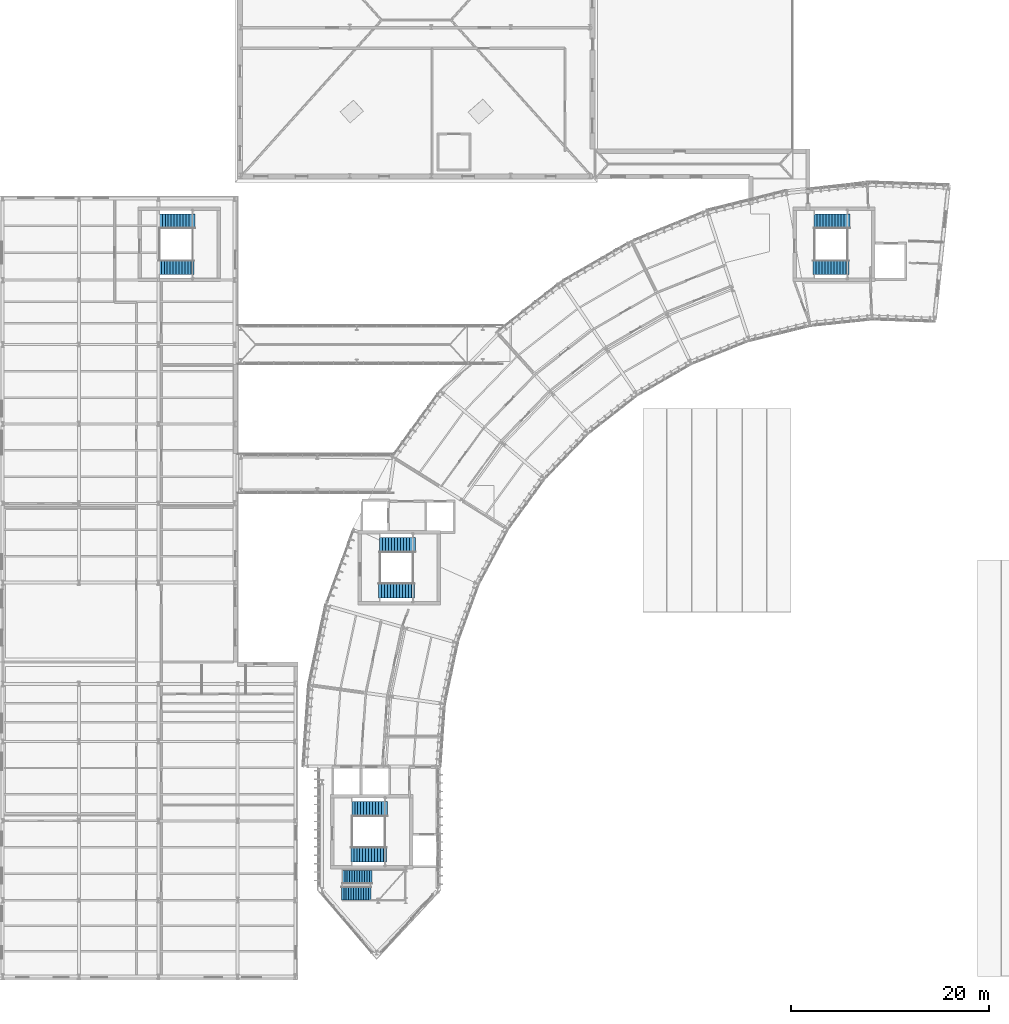
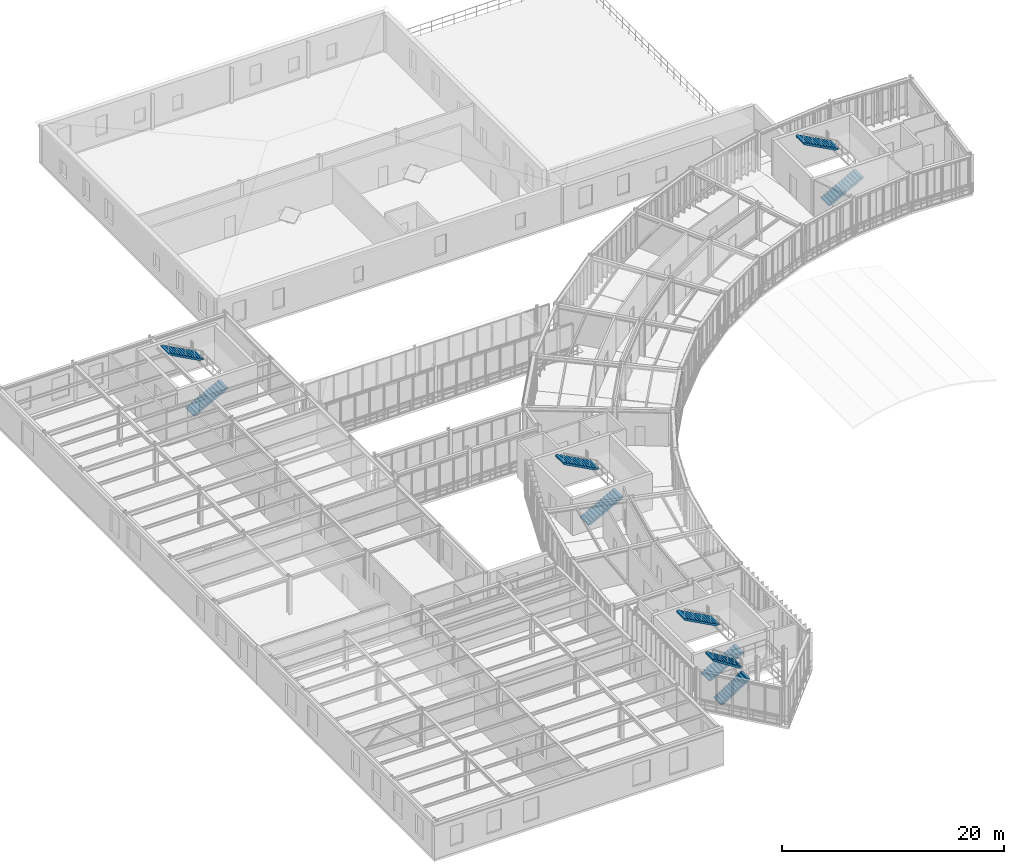
# One storey, part 46 of 57: 10 stair flights, 5 elements without a shape of their own.
"""IFC4 building model written with IfcOpenShell, lengths in metres."""

from ifc_helpers import new_model, si_unit, direction, frame, origin, place, context, subcontext, project, spatial, polyline, outline, extrude, material, type_object, element, aggregate, save


model = new_model("IFC4")

# Units and contexts
model_context = context("Model", 3, precision=1e-05, world=origin(), true_north=direction((0.0, 1.0)))
body_context = subcontext(model_context, "Body", "Model", "MODEL_VIEW")
ifc_project = project(units=[si_unit("LENGTHUNIT", "METRE"), si_unit("AREAUNIT", "SQUARE_METRE"), si_unit("VOLUMEUNIT", "CUBIC_METRE"), si_unit("PLANEANGLEUNIT", "RADIAN"), si_unit("MASSUNIT", "GRAM", prefix="KILO"), si_unit("THERMODYNAMICTEMPERATUREUNIT", "KELVIN"), si_unit("POWERUNIT", "WATT")], contexts=[model_context])

# Site, building, storey
site_placement = place(None, origin())
site = spatial("IfcSite", under=ifc_project, at=site_placement, CompositionType="ELEMENT")
building_placement = place(site_placement, origin())
building = spatial("IfcBuilding", under=site, at=building_placement, Name="Solvatero Civic Police Headquarters", CompositionType="ELEMENT")
storey_placement = place(building_placement, frame((0.0, 0.0, 9.300048828125)))
storey = spatial("IfcBuildingStorey", under=building, at=storey_placement, Name="L02", CompositionType="ELEMENT", Elevation=9.300048828125)

# Stair, stair flights
ifc_material = material(Name="Precast concrete C40/50", Category="concrete")
stair_type_1 = type_object("IfcStairType", Name="STR-C145-420", PredefinedType="HALF_TURN_STAIR", material=ifc_material)
stair_1_placement = place(storey_placement, origin())
stair_1 = element("IfcStair", 1, at=stair_1_placement, inside=storey, type_object=stair_type_1, Name="Protected Exit Stair ST-C3 (L02 to L03)", PredefinedType="HALF_TURN_STAIR")
stair_flight_type_1 = type_object("IfcStairFlightType", Name="SFL-STR-C145-420", PredefinedType="STRAIGHT", material=ifc_material)
stair_flight_1_placement = place(storey_placement, frame((86.5, 76.27490234375, 0.0), z_axis=(0.0, 0.0, 1.0), x_axis=(1.0, 0.0, 0.0)))
stair_flight_1 = element("IfcStairFlight", 2, at=stair_flight_1_placement, type_object=stair_flight_type_1, Name="ST-C3 L02 Flight 1", NumberOfRisers=13, NumberOfTreads=12, PredefinedType="STRAIGHT", RiserHeight=0.161538, TreadLength=0.3, context=body_context, shape_type="SweptSolid", body=[
    extrude(outline(polyline([(0.0, 0.0), (0.0, 0.16162109375), (0.300048828125, 0.16162109375), (0.300048828125, 0.322998046875), (0.60009765625, 0.322998046875), (0.60009765625, 0.484619140625), (0.89990234375, 0.484619140625), (0.89990234375, 0.646240234375), (1.199951171875, 0.646240234375), (1.199951171875, 0.8076171875), (1.5, 0.8076171875), (1.5, 0.96923828125), (1.800048828125, 0.96923828125), (1.800048828125, 1.130859375), (2.10009765625, 1.130859375), (2.10009765625, 1.292236328125), (2.39990234375, 1.292236328125), (2.39990234375, 1.453857421875), (2.699951171875, 1.453857421875), (2.699951171875, 1.615478515625), (3.0, 1.615478515625), (3.0, 1.77685546875), (3.300048828125, 1.77685546875), (3.300048828125, 1.9384765625), (3.60009765625, 1.9384765625), (3.60009765625, 2.10009765625), (3.60009765625, 1.7568359375), (0.33740234375, 0.0), (0.0, 0.0)])), frame((0.0, 0.72509765625, 0.0), z_axis=(0.0, -1.0, 0.0), x_axis=(1.0, 0.0, 0.0)), (0.0, 0.0, 1.0), 1.449951171875),
])
stair_flight_2_placement = place(storey_placement, frame((90.199951171875, 80.925048828125, 2.099853515625), z_axis=(0.0, 0.0, 1.0), x_axis=(-1.0, 0.0, 0.0)))
stair_flight_2 = element("IfcStairFlight", 3, at=stair_flight_2_placement, type_object=stair_flight_type_1, Name="ST-C3 L02 Flight 2", NumberOfRisers=13, NumberOfTreads=12, PredefinedType="STRAIGHT", RiserHeight=0.161538, TreadLength=0.3, context=body_context, shape_type="SweptSolid", body=[
    extrude(outline(polyline([(0.0, 0.0), (0.0, 0.16162109375), (0.300048828125, 0.16162109375), (0.300048828125, 0.322998046875), (0.60009765625, 0.322998046875), (0.60009765625, 0.484619140625), (0.89990234375, 0.484619140625), (0.89990234375, 0.646240234375), (1.199951171875, 0.646240234375), (1.199951171875, 0.8076171875), (1.5, 0.8076171875), (1.5, 0.96923828125), (1.800048828125, 0.96923828125), (1.800048828125, 1.130859375), (2.10009765625, 1.130859375), (2.10009765625, 1.292236328125), (2.39990234375, 1.292236328125), (2.39990234375, 1.453857421875), (2.699951171875, 1.453857421875), (2.699951171875, 1.615478515625), (3.0, 1.615478515625), (3.0, 1.77685546875), (3.300048828125, 1.77685546875), (3.300048828125, 1.9384765625), (3.60009765625, 1.9384765625), (3.60009765625, 2.10009765625), (3.60009765625, 1.7568359375), (0.33740234375, 0.0), (0.0, 0.0)])), frame((0.0, 0.72509765625, 0.0), z_axis=(0.0, -1.0, 0.0), x_axis=(1.0, 0.0, 0.0)), (0.0, 0.0, 1.0), 1.449951171875),
])
aggregate(stair_1, [stair_flight_1, stair_flight_2])

stair_2_placement = place(storey_placement, origin())
stair_2 = element("IfcStair", 4, at=stair_2_placement, inside=storey, type_object=stair_type_1, Name="Protected Exit Stair ST-C4 (L02 to L03)", PredefinedType="HALF_TURN_STAIR")
stair_flight_3_placement = place(storey_placement, frame((20.5, 76.27490234375, 0.0), z_axis=(0.0, 0.0, 1.0), x_axis=(1.0, 0.0, 0.0)))
stair_flight_3 = element("IfcStairFlight", 5, at=stair_flight_3_placement, type_object=stair_flight_type_1, Name="ST-C4 L02 Flight 1", NumberOfRisers=13, NumberOfTreads=12, PredefinedType="STRAIGHT", RiserHeight=0.161538, TreadLength=0.3, context=body_context, shape_type="SweptSolid", body=[
    extrude(outline(polyline([(0.0, 0.0), (0.0, 0.16162109375), (0.300048828125, 0.16162109375), (0.300048828125, 0.322998046875), (0.60009765625, 0.322998046875), (0.60009765625, 0.484619140625), (0.89990234375, 0.484619140625), (0.89990234375, 0.646240234375), (1.199951171875, 0.646240234375), (1.199951171875, 0.8076171875), (1.5, 0.8076171875), (1.5, 0.96923828125), (1.800048828125, 0.96923828125), (1.800048828125, 1.130859375), (2.10009765625, 1.130859375), (2.10009765625, 1.292236328125), (2.39990234375, 1.292236328125), (2.39990234375, 1.453857421875), (2.699951171875, 1.453857421875), (2.699951171875, 1.615478515625), (3.0, 1.615478515625), (3.0, 1.77685546875), (3.300048828125, 1.77685546875), (3.300048828125, 1.9384765625), (3.60009765625, 1.9384765625), (3.60009765625, 2.10009765625), (3.60009765625, 1.7568359375), (0.33740234375, 0.0), (0.0, 0.0)])), frame((0.0, 0.72509765625, 0.0), z_axis=(0.0, -1.0, 0.0), x_axis=(1.0, 0.0, 0.0)), (0.0, 0.0, 1.0), 1.449951171875),
])
stair_flight_4_placement = place(storey_placement, frame((24.199951171875, 80.925048828125, 2.099853515625), z_axis=(0.0, 0.0, 1.0), x_axis=(-1.0, 0.0, 0.0)))
stair_flight_4 = element("IfcStairFlight", 6, at=stair_flight_4_placement, type_object=stair_flight_type_1, Name="ST-C4 L02 Flight 2", NumberOfRisers=13, NumberOfTreads=12, PredefinedType="STRAIGHT", RiserHeight=0.161538, TreadLength=0.3, context=body_context, shape_type="SweptSolid", body=[
    extrude(outline(polyline([(0.0, 0.0), (0.0, 0.16162109375), (0.300048828125, 0.16162109375), (0.300048828125, 0.322998046875), (0.60009765625, 0.322998046875), (0.60009765625, 0.484619140625), (0.89990234375, 0.484619140625), (0.89990234375, 0.646240234375), (1.199951171875, 0.646240234375), (1.199951171875, 0.8076171875), (1.5, 0.8076171875), (1.5, 0.96923828125), (1.800048828125, 0.96923828125), (1.800048828125, 1.130859375), (2.10009765625, 1.130859375), (2.10009765625, 1.292236328125), (2.39990234375, 1.292236328125), (2.39990234375, 1.453857421875), (2.699951171875, 1.453857421875), (2.699951171875, 1.615478515625), (3.0, 1.615478515625), (3.0, 1.77685546875), (3.300048828125, 1.77685546875), (3.300048828125, 1.9384765625), (3.60009765625, 1.9384765625), (3.60009765625, 2.10009765625), (3.60009765625, 1.7568359375), (0.33740234375, 0.0), (0.0, 0.0)])), frame((0.0, 0.72509765625, 0.0), z_axis=(0.0, -1.0, 0.0), x_axis=(1.0, 0.0, 0.0)), (0.0, 0.0, 1.0), 1.449951171875),
])
aggregate(stair_2, [stair_flight_3, stair_flight_4])

stair_type_2 = type_object("IfcStairType", Name="STR-C150-420", PredefinedType="HALF_TURN_STAIR", material=ifc_material)
stair_3_placement = place(storey_placement, origin())
stair_3 = element("IfcStair", 7, at=stair_3_placement, inside=storey, type_object=stair_type_2, Name="Protected Exit Stair ST-C1 (L02 to L03)", PredefinedType="HALF_TURN_STAIR")
stair_flight_type_2 = type_object("IfcStairFlightType", Name="SFL-STR-C150-420", PredefinedType="STRAIGHT", material=ifc_material)
stair_flight_5_placement = place(storey_placement, frame((39.89990234375, 17.10009765625, 0.0), z_axis=(0.0, 0.0, 1.0), x_axis=(1.0, 0.0, 0.0)))
stair_flight_5 = element("IfcStairFlight", 8, at=stair_flight_5_placement, type_object=stair_flight_type_2, Name="ST-C1 L02 Flight 1", NumberOfRisers=13, NumberOfTreads=12, PredefinedType="STRAIGHT", RiserHeight=0.161538, TreadLength=0.3, context=body_context, shape_type="SweptSolid", body=[
    extrude(outline(polyline([(0.0, 0.0), (0.0, 0.16162109375), (0.300048828125, 0.16162109375), (0.300048828125, 0.322998046875), (0.60009765625, 0.322998046875), (0.60009765625, 0.484619140625), (0.89990234375, 0.484619140625), (0.89990234375, 0.646240234375), (1.199951171875, 0.646240234375), (1.199951171875, 0.8076171875), (1.5, 0.8076171875), (1.5, 0.96923828125), (1.800048828125, 0.96923828125), (1.800048828125, 1.130859375), (2.10009765625, 1.130859375), (2.10009765625, 1.292236328125), (2.39990234375, 1.292236328125), (2.39990234375, 1.453857421875), (2.699951171875, 1.453857421875), (2.699951171875, 1.615478515625), (3.0, 1.615478515625), (3.0, 1.77685546875), (3.300048828125, 1.77685546875), (3.300048828125, 1.9384765625), (3.60009765625, 1.9384765625), (3.60009765625, 2.10009765625), (3.60009765625, 1.7568359375), (0.33740234375, 0.0), (0.0, 0.0)])), frame((0.0, 0.75, 0.0), z_axis=(0.0, -1.0, 0.0), x_axis=(1.0, 0.0, 0.0)), (0.0, 0.0, 1.0), 1.5),
])
stair_flight_6_placement = place(storey_placement, frame((43.60009765625, 21.699951171875, 2.099853515625), z_axis=(0.0, 0.0, 1.0), x_axis=(-1.0, 0.0, 0.0)))
stair_flight_6 = element("IfcStairFlight", 9, at=stair_flight_6_placement, type_object=stair_flight_type_2, Name="ST-C1 L02 Flight 2", NumberOfRisers=13, NumberOfTreads=12, PredefinedType="STRAIGHT", RiserHeight=0.161538, TreadLength=0.3, context=body_context, shape_type="SweptSolid", body=[
    extrude(outline(polyline([(0.0, 0.0), (0.0, 0.16162109375), (0.300048828125, 0.16162109375), (0.300048828125, 0.322998046875), (0.60009765625, 0.322998046875), (0.60009765625, 0.484619140625), (0.89990234375, 0.484619140625), (0.89990234375, 0.646240234375), (1.199951171875, 0.646240234375), (1.199951171875, 0.8076171875), (1.5, 0.8076171875), (1.5, 0.96923828125), (1.800048828125, 0.96923828125), (1.800048828125, 1.130859375), (2.10009765625, 1.130859375), (2.10009765625, 1.292236328125), (2.39990234375, 1.292236328125), (2.39990234375, 1.453857421875), (2.699951171875, 1.453857421875), (2.699951171875, 1.615478515625), (3.0, 1.615478515625), (3.0, 1.77685546875), (3.300048828125, 1.77685546875), (3.300048828125, 1.9384765625), (3.60009765625, 1.9384765625), (3.60009765625, 2.10009765625), (3.60009765625, 1.7568359375), (0.33740234375, 0.0), (0.0, 0.0)])), frame((0.0, 0.75, 0.0), z_axis=(0.0, -1.0, 0.0), x_axis=(1.0, 0.0, 0.0)), (0.0, 0.0, 1.0), 1.5),
])
aggregate(stair_3, [stair_flight_5, stair_flight_6])

stair_4_placement = place(storey_placement, origin())
stair_4 = element("IfcStair", 10, at=stair_4_placement, inside=storey, type_object=stair_type_2, Name="Protected Exit Stair ST-C2 (L02 to L03)", PredefinedType="HALF_TURN_STAIR")
stair_flight_7_placement = place(storey_placement, frame((42.699951171875, 43.699951171875, 0.0), z_axis=(0.0, 0.0, 1.0), x_axis=(1.0, 0.0, 0.0)))
stair_flight_7 = element("IfcStairFlight", 11, at=stair_flight_7_placement, type_object=stair_flight_type_2, Name="ST-C2 L02 Flight 1", NumberOfRisers=13, NumberOfTreads=12, PredefinedType="STRAIGHT", RiserHeight=0.161538, TreadLength=0.3, context=body_context, shape_type="SweptSolid", body=[
    extrude(outline(polyline([(0.0, 0.0), (0.0, 0.16162109375), (0.300048828125, 0.16162109375), (0.300048828125, 0.322998046875), (0.60009765625, 0.322998046875), (0.60009765625, 0.484619140625), (0.89990234375, 0.484619140625), (0.89990234375, 0.646240234375), (1.199951171875, 0.646240234375), (1.199951171875, 0.8076171875), (1.5, 0.8076171875), (1.5, 0.96923828125), (1.800048828125, 0.96923828125), (1.800048828125, 1.130859375), (2.10009765625, 1.130859375), (2.10009765625, 1.292236328125), (2.39990234375, 1.292236328125), (2.39990234375, 1.453857421875), (2.699951171875, 1.453857421875), (2.699951171875, 1.615478515625), (3.0, 1.615478515625), (3.0, 1.77685546875), (3.300048828125, 1.77685546875), (3.300048828125, 1.9384765625), (3.60009765625, 1.9384765625), (3.60009765625, 2.10009765625), (3.60009765625, 1.7568359375), (0.33740234375, 0.0), (0.0, 0.0)])), frame((0.0, 0.75, 0.0), z_axis=(0.0, -1.0, 0.0), x_axis=(1.0, 0.0, 0.0)), (0.0, 0.0, 1.0), 1.5),
])
stair_flight_8_placement = place(storey_placement, frame((46.39990234375, 48.300048828125, 2.099853515625), z_axis=(0.0, 0.0, 1.0), x_axis=(-1.0, 0.0, 0.0)))
stair_flight_8 = element("IfcStairFlight", 12, at=stair_flight_8_placement, type_object=stair_flight_type_2, Name="ST-C2 L02 Flight 2", NumberOfRisers=13, NumberOfTreads=12, PredefinedType="STRAIGHT", RiserHeight=0.161538, TreadLength=0.3, context=body_context, shape_type="SweptSolid", body=[
    extrude(outline(polyline([(0.0, 0.0), (0.0, 0.16162109375), (0.300048828125, 0.16162109375), (0.300048828125, 0.322998046875), (0.60009765625, 0.322998046875), (0.60009765625, 0.484619140625), (0.89990234375, 0.484619140625), (0.89990234375, 0.646240234375), (1.199951171875, 0.646240234375), (1.199951171875, 0.8076171875), (1.5, 0.8076171875), (1.5, 0.96923828125), (1.800048828125, 0.96923828125), (1.800048828125, 1.130859375), (2.10009765625, 1.130859375), (2.10009765625, 1.292236328125), (2.39990234375, 1.292236328125), (2.39990234375, 1.453857421875), (2.699951171875, 1.453857421875), (2.699951171875, 1.615478515625), (3.0, 1.615478515625), (3.0, 1.77685546875), (3.300048828125, 1.77685546875), (3.300048828125, 1.9384765625), (3.60009765625, 1.9384765625), (3.60009765625, 2.10009765625), (3.60009765625, 1.7568359375), (0.33740234375, 0.0), (0.0, 0.0)])), frame((0.0, 0.75, 0.0), z_axis=(0.0, -1.0, 0.0), x_axis=(1.0, 0.0, 0.0)), (0.0, 0.0, 1.0), 1.5),
])
aggregate(stair_4, [stair_flight_7, stair_flight_8])

stair_type_3 = type_object("IfcStairType", Name="STR-PRW-420", PredefinedType="HALF_TURN_STAIR", material=ifc_material)
stair_5_placement = place(storey_placement, origin())
stair_5 = element("IfcStair", 13, at=stair_5_placement, inside=storey, type_object=stair_type_3, Name="Glazed Prow Ceremonial Stair (L02 to L03)", PredefinedType="HALF_TURN_STAIR")
stair_flight_type_3 = type_object("IfcStairFlightType", Name="SFL-STR-PRW-420", PredefinedType="STRAIGHT", material=ifc_material)
stair_flight_9_placement = place(storey_placement, frame((38.93994140625, 13.219970703125, 0.0), z_axis=(0.0, 0.0, 1.0), x_axis=(1.0, 0.0, 0.0)))
stair_flight_9 = element("IfcStairFlight", 14, at=stair_flight_9_placement, type_object=stair_flight_type_3, Name="ST-PRW L02 Flight 1", NumberOfRisers=13, NumberOfTreads=12, PredefinedType="STRAIGHT", RiserHeight=0.161538, TreadLength=0.25, context=body_context, shape_type="SweptSolid", body=[
    extrude(outline(polyline([(0.0, 0.0), (0.0, 0.16162109375), (0.25, 0.16162109375), (0.25, 0.322998046875), (0.5, 0.322998046875), (0.5, 0.484619140625), (0.75, 0.484619140625), (0.75, 0.646240234375), (1.0, 0.646240234375), (1.0, 0.8076171875), (1.25, 0.8076171875), (1.25, 0.96923828125), (1.5, 0.96923828125), (1.5, 1.130859375), (1.75, 1.130859375), (1.75, 1.292236328125), (2.0, 1.292236328125), (2.0, 1.453857421875), (2.25, 1.453857421875), (2.25, 1.615478515625), (2.5, 1.615478515625), (2.5, 1.77685546875), (2.75, 1.77685546875), (2.75, 1.9384765625), (3.0, 1.9384765625), (3.0, 2.10009765625), (3.0, 1.748046875), (0.294677734375, 0.0), (0.0, 0.0)])), frame((0.0, 0.68017578125, 0.0), z_axis=(0.0, -1.0, 0.0), x_axis=(1.0, 0.0, 0.0)), (0.0, 0.0, 1.0), 1.360107421875),
])
stair_flight_10_placement = place(storey_placement, frame((42.0400390625, 14.820068359375, 2.099853515625), z_axis=(0.0, 0.0, 1.0), x_axis=(-1.0, 0.0, 0.0)))
stair_flight_10 = element("IfcStairFlight", 15, at=stair_flight_10_placement, type_object=stair_flight_type_3, Name="ST-PRW L02 Flight 2", NumberOfRisers=13, NumberOfTreads=12, PredefinedType="STRAIGHT", RiserHeight=0.161538, TreadLength=0.25, context=body_context, shape_type="SweptSolid", body=[
    extrude(outline(polyline([(0.0, 0.0), (0.0, 0.16162109375), (0.25, 0.16162109375), (0.25, 0.322998046875), (0.5, 0.322998046875), (0.5, 0.484619140625), (0.75, 0.484619140625), (0.75, 0.646240234375), (1.0, 0.646240234375), (1.0, 0.8076171875), (1.25, 0.8076171875), (1.25, 0.96923828125), (1.5, 0.96923828125), (1.5, 1.130859375), (1.75, 1.130859375), (1.75, 1.292236328125), (2.0, 1.292236328125), (2.0, 1.453857421875), (2.25, 1.453857421875), (2.25, 1.615478515625), (2.5, 1.615478515625), (2.5, 1.77685546875), (2.75, 1.77685546875), (2.75, 1.9384765625), (3.0, 1.9384765625), (3.0, 2.10009765625), (3.0, 1.748046875), (0.294677734375, 0.0), (0.0, 0.0)])), frame((0.0, 0.68017578125, 0.0), z_axis=(0.0, -1.0, 0.0), x_axis=(1.0, 0.0, 0.0)), (0.0, 0.0, 1.0), 1.360107421875),
])
aggregate(stair_5, [stair_flight_9, stair_flight_10])

save(model, "model.ifc")
